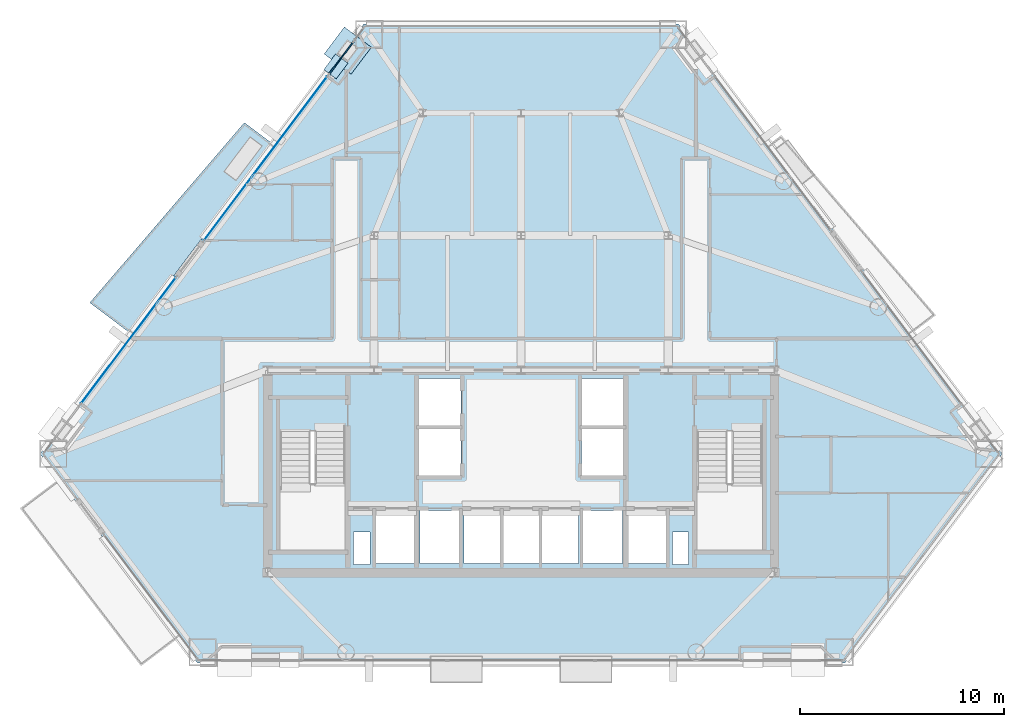
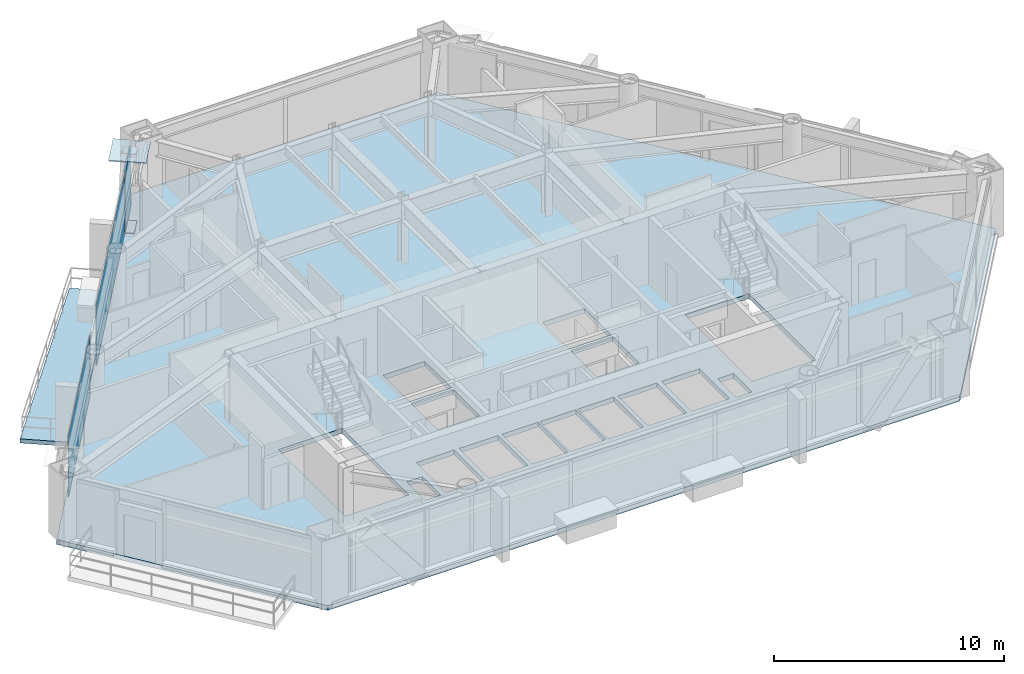
# One storey, part 7 of 14: 5 plates, 2 slabs, 3 elements without a shape of their own.
"""IFC4 building model written with IfcOpenShell, lengths in metres."""

import ifcopenshell
import ifcopenshell.guid

model = None  # the IFC model being written
_history = None  # IfcOwnerHistory: only IFC2X3 demands one
_inside = {}  # id of a spatial element -> (the spatial element, [elements in it])
_under = {}  # id of a project, library or spatial element -> (it, [spatial elements below it])
_declared = {}  # id of a project -> (the project, [libraries it declares])
_typed = {}  # id of a type object -> (the type object, [elements of that type])
_made_of = {}  # id of a material, layer set ... -> (it, [elements and type objects made of it])


def new_model(schema):
    """Start an empty IFC model of exactly this schema.

    Asked for "IFC4X3", IfcOpenShell would pick the latest addendum, in which some entities
    have other attributes; the version numbers below select the first issue.
    IFC2X3 requires an IfcOwnerHistory on every rooted entity: one is made here for all.
    """
    global model, _history
    if schema == "IFC4X3":
        model = ifcopenshell.file(schema_version=(4, 3, 0, 0))
    else:
        model = ifcopenshell.file(schema=schema)
    _inside.clear()
    _under.clear()
    _declared.clear()
    _typed.clear()
    _made_of.clear()
    _history = None
    if model.schema == "IFC2X3":
        org = make("IfcOrganization", Name="unknown")
        user = make(
            "IfcPersonAndOrganization",
            ThePerson=make("IfcPerson", FamilyName="unknown"),
            TheOrganization=org,
        )
        app = make(
            "IfcApplication",
            ApplicationDeveloper=org,
            Version="unknown",
            ApplicationFullName="unknown",
            ApplicationIdentifier="unknown",
        )
        _history = make(
            "IfcOwnerHistory",
            OwningUser=user,
            OwningApplication=app,
            ChangeAction="ADDED",
            CreationDate=0,
        )
    return model


def make(cls, **values):
    """One entity of the class cls with the attributes given. An attribute that is None is left unset."""
    return model.create_entity(
        cls, **{name: value for name, value in values.items() if value is not None}
    )


def rooted(cls, **values):
    """An entity with a GlobalId (a new one), such as an element, a storey or a relation."""
    return make(cls, GlobalId=ifcopenshell.guid.new(), OwnerHistory=_history, **values)


def si_unit(unit_type, name, prefix=None):
    """IfcSIUnit, for example si_unit("LENGTHUNIT", "METRE", prefix="MILLI")."""
    return make("IfcSIUnit", UnitType=unit_type, Prefix=prefix, Name=name)


def assignment(units):
    """IfcUnitAssignment: the units of a project."""
    return None if units is None else make("IfcUnitAssignment", Units=units)


def point(xyz):
    """IfcCartesianPoint."""
    return None if xyz is None else make("IfcCartesianPoint", Coordinates=xyz)


def direction(xyz):
    """IfcDirection."""
    return None if xyz is None else make("IfcDirection", DirectionRatios=xyz)


def frame(location, z_axis=None, x_axis=None):
    """IfcAxis2Placement3D, a coordinate frame: its origin and axes. An axis left out is left unset."""
    return make(
        "IfcAxis2Placement3D",
        Location=point(location),
        Axis=direction(z_axis),
        RefDirection=direction(x_axis),
    )


def frame_2d(location, x_axis=None):
    """IfcAxis2Placement2D, a coordinate frame in the plane: its origin and x axis."""
    return make(
        "IfcAxis2Placement2D", Location=point(location), RefDirection=direction(x_axis)
    )


def origin():
    """The frame at (0, 0, 0) with its axes left unset."""
    return frame((0.0, 0.0, 0.0))


def origin_2d():
    """The frame at (0, 0) in the plane with its x axis left unset."""
    return frame_2d((0.0, 0.0))


def place(relative_to, where):
    """IfcLocalPlacement: puts the frame where relative to a parent placement (None: the world)."""
    return make(
        "IfcLocalPlacement", PlacementRelTo=relative_to, RelativePlacement=where
    )


def context(
    kind, dimensions, precision=None, world=None, true_north=None, identifier=None
):
    """IfcGeometricRepresentationContext, for example the 3D "Model" context."""
    return make(
        "IfcGeometricRepresentationContext",
        ContextIdentifier=identifier,
        ContextType=kind,
        CoordinateSpaceDimension=dimensions,
        Precision=precision,
        WorldCoordinateSystem=world,
        TrueNorth=true_north,
    )


def subcontext(parent, identifier, kind, view, scale=None):
    """IfcGeometricRepresentationSubContext, for example "Body" below "Model"."""
    return make(
        "IfcGeometricRepresentationSubContext",
        ContextIdentifier=identifier,
        ContextType=kind,
        ParentContext=parent,
        TargetScale=scale,
        TargetView=view,
    )


def project(units=None, contexts=None):
    """IfcProject with its units and contexts."""
    return rooted(
        "IfcProject",
        Name="project",
        RepresentationContexts=contexts,
        UnitsInContext=assignment(units),
    )


def spatial(cls, under=None, at=None, **own):
    """A site, building, storey or space (cls), placed at a placement, below another one or the project."""
    s = rooted(cls, ObjectPlacement=at, **own)
    if under is not None:
        _under.setdefault(under.id(), (under, []))[1].append(s)
    return s


def polyline(points):
    """IfcPolyline through the points."""
    return make("IfcPolyline", Points=[point(p) for p in points])


def profile(cls, at=None, kind="AREA", **sizes):
    """A parametric profile (cls). Its sizes go by their IFC names, for example OverallWidth=200.0."""
    return make(cls, ProfileType=kind, Position=at, **sizes)


def rectangle(**sizes):
    """IfcRectangleProfileDef."""
    return profile("IfcRectangleProfileDef", **sizes)


def outline(outer, holes=None, kind="AREA"):
    """IfcArbitraryClosedProfileDef: a profile drawn as a closed curve; with holes, ...WithVoids."""
    if holes is None:
        return make("IfcArbitraryClosedProfileDef", ProfileType=kind, OuterCurve=outer)
    return make(
        "IfcArbitraryProfileDefWithVoids",
        ProfileType=kind,
        OuterCurve=outer,
        InnerCurves=holes,
    )


def extrude(swept, where, along, depth):
    """IfcExtrudedAreaSolid: the profile swept, set in the frame where, extruded along a direction by depth."""
    return make(
        "IfcExtrudedAreaSolid",
        SweptArea=swept,
        Position=where,
        ExtrudedDirection=direction(along),
        Depth=depth,
    )


def shape(context_of_items, identifier, shape_type, items):
    """IfcShapeRepresentation: the items that make up one representation, for example the "Body"."""
    return make(
        "IfcShapeRepresentation",
        ContextOfItems=context_of_items,
        RepresentationIdentifier=identifier,
        RepresentationType=shape_type,
        Items=items,
    )


def source(mapping_origin, context_of_items, identifier, shape_type, items):
    """IfcRepresentationMap: a shape defined once, which mapped items show again and again."""
    return make(
        "IfcRepresentationMap",
        MappingOrigin=mapping_origin,
        MappedRepresentation=shape(context_of_items, identifier, shape_type, items),
    )


def transform(
    local_origin,
    x_axis=None,
    y_axis=None,
    z_axis=None,
    scale=None,
    scale2=None,
    scale3=None,
    uniform=True,
):
    """IfcCartesianTransformationOperator3D, or its non-uniform kind. x_axis, y_axis, z_axis: its Axis1, 2, 3."""
    if uniform:
        return make(
            "IfcCartesianTransformationOperator3D",
            Axis1=direction(x_axis),
            Axis2=direction(y_axis),
            LocalOrigin=point(local_origin),
            Scale=scale,
            Axis3=direction(z_axis),
        )
    return make(
        "IfcCartesianTransformationOperator3DnonUniform",
        Axis1=direction(x_axis),
        Axis2=direction(y_axis),
        LocalOrigin=point(local_origin),
        Scale=scale,
        Axis3=direction(z_axis),
        Scale2=scale2,
        Scale3=scale3,
    )


def mapped(mapping_source, mapping_target):
    """IfcMappedItem: shows the shape of a source again, moved by a transform."""
    return make(
        "IfcMappedItem", MappingSource=mapping_source, MappingTarget=mapping_target
    )


def material(Name=None, Category=None):
    """IfcMaterial."""
    return make("IfcMaterial", Name=Name, Category=Category)


def layer(
    of_material, thickness, ventilated=None, Name=None, Category=None, Priority=None
):
    """IfcMaterialLayer: one layer of a wall or slab, of a material (None: an air gap)."""
    return make(
        "IfcMaterialLayer",
        Material=of_material,
        LayerThickness=thickness,
        IsVentilated=ventilated,
        Name=Name,
        Category=Category,
        Priority=Priority,
    )


def layer_set(layers, Name=None):
    """IfcMaterialLayerSet."""
    return make("IfcMaterialLayerSet", MaterialLayers=layers, LayerSetName=Name)


def made_of(thing, what):
    """Note that an element or type object is made of a material, layer set ...; save() writes the relation."""
    if what is not None:
        _made_of.setdefault(what.id(), (what, []))[1].append(thing)
    return thing


def type_object(cls, material=None, **own):
    """A type object (cls), such as IfcWallType, which elements share."""
    return made_of(rooted(cls, **own), material)


def type_shapes(of_type, sources):
    """Give a type object the sources (RepresentationMaps) that its elements show as mapped items."""
    of_type.RepresentationMaps = sources


def element(
    cls,
    number,
    at=None,
    inside=None,
    cuts=None,
    type_object=None,
    material=None,
    context=None,
    identifier="Body",
    shape_type=None,
    held_by="IfcProductDefinitionShape",
    body=None,
    shapes=None,
    **own,
):
    """One element of the class cls, such as IfcWall. Its Tag is "e" and its number.

    at: its placement. inside: the storey or other place that contains it. cuts: it is an
    opening in that element (IfcRelVoidsElement). A single representation is given by context,
    identifier, shape_type and body (its items); several are given by shapes. held_by: the class
    of the entity that holds the representations. save() writes the other relations.
    """
    e = rooted(cls, Tag="e%d" % number, ObjectPlacement=at, **own)
    if body is not None:
        shapes = [shape(context, identifier, shape_type, body)]
    if shapes is not None:
        e.Representation = make(held_by, Representations=shapes)
    if inside is not None:
        _inside.setdefault(inside.id(), (inside, []))[1].append(e)
    if cuts is not None:
        rooted(
            "IfcRelVoidsElement", RelatingBuildingElement=cuts, RelatedOpeningElement=e
        )
    if type_object is not None:
        _typed.setdefault(type_object.id(), (type_object, []))[1].append(e)
    return made_of(e, material)


def aggregate(whole, parts):
    """IfcRelAggregates: a whole, such as a stair, and the parts it consists of."""
    return rooted("IfcRelAggregates", RelatingObject=whole, RelatedObjects=parts)


def save(model, path):
    """Write the relations noted so far, then the file.

    IfcRelAggregates (storeys below a building ...), IfcRelContainedInSpatialStructure (elements
    in a storey), IfcRelDefinesByType, IfcRelAssociatesMaterial and IfcRelDeclares: one each for
    every whole, place, type object, material and project.
    """
    for whole, parts in _under.values():
        aggregate(whole, parts)
    for where, things in _inside.values():
        rooted(
            "IfcRelContainedInSpatialStructure",
            RelatedElements=things,
            RelatingStructure=where,
        )
    for kind, things in _typed.values():
        rooted("IfcRelDefinesByType", RelatedObjects=things, RelatingType=kind)
    for what, things in _made_of.values():
        rooted("IfcRelAssociatesMaterial", RelatedObjects=things, RelatingMaterial=what)
    for by, libraries in _declared.values():
        rooted("IfcRelDeclares", RelatingContext=by, RelatedDefinitions=libraries)
    model.write(path)


model = new_model("IFC4")

# Units and contexts
model_context = context("Model", 3, precision=1e-05, world=origin(), true_north=direction((0.0, 1.0)))
body_context = subcontext(model_context, "Body", "Model", "MODEL_VIEW")
ifc_project = project(units=[si_unit("LENGTHUNIT", "METRE"), si_unit("AREAUNIT", "SQUARE_METRE"), si_unit("VOLUMEUNIT", "CUBIC_METRE"), si_unit("PLANEANGLEUNIT", "RADIAN"), si_unit("MASSUNIT", "GRAM", prefix="KILO")], contexts=[model_context])

# Site, building, storey
site_placement = place(None, origin())
site = spatial("IfcSite", under=ifc_project, at=site_placement, CompositionType="ELEMENT")
building_placement = place(site_placement, origin())
building = spatial("IfcBuilding", under=site, at=building_placement, Name="Talgorran Terracotta Tower", CompositionType="ELEMENT")
storey_placement = place(building_placement, frame((0.0, 0.0, 53.10009765625)))
storey = spatial("IfcBuildingStorey", under=building, at=storey_placement, Name="L13", CompositionType="ELEMENT", Elevation=53.10009765625)

# Plates
ifc_material_1 = material(Name="Steel Grade 350 (350L0)", Category="steel")
ifc_layer_1 = layer(ifc_material_1, 0.0400390625, Name="PL_CAP_MN05")
ifc_layer_set_1 = layer_set([ifc_layer_1], Name="Steel Grade 350 (350L0)")
plate_type_1 = type_object("IfcPlateType", Name="PL_CAP_MN05", PredefinedType="USERDEFINED", material=ifc_layer_set_1)
plate_1_placement = place(storey_placement, frame((-9.0634765625, 10.67236328125, -0.010009765625), z_axis=(0.0, 0.0, 1.0), x_axis=(0.6013967761, 0.798950510167, 0.0)))
element("IfcPlate", 1, at=plate_1_placement, inside=storey, type_object=plate_type_1, Name="L13 Diagonal Frame End Cap NWU Bot", ObjectType="CAP PLATE", PredefinedType="USERDEFINED", context=body_context, shape_type="SweptSolid", body=[
    extrude(rectangle(XDim=0.9599609375, YDim=0.760009765625, at=origin_2d()), origin(), (0.0, 0.0, 1.0), 0.0400390625),
])
ifc_layer_2 = layer(ifc_material_1, 0.06005859375, Name="PL_NODE_MN01")
ifc_layer_set_2 = layer_set([ifc_layer_2], Name="Steel Grade 350 (350L0)")
plate_type_2 = type_object("IfcPlateType", Name="PL_NODE_MN01", PredefinedType="USERDEFINED", material=ifc_layer_set_2)
plate_2_placement = place(storey_placement, frame((-8.481689453125, 11.44482421875, 3.309814453125), z_axis=(0.0, 0.0, 1.0), x_axis=(0.6013967761, 0.798950510167, 0.0)))
element("IfcPlate", 2, at=plate_2_placement, inside=storey, type_object=plate_type_2, Name="L13 Diagonal Frame End Cap NWU Top", ObjectType="NODE PLATE", PredefinedType="USERDEFINED", context=body_context, shape_type="SweptSolid", body=[
    extrude(rectangle(XDim=1.64990234375, YDim=1.64990234375, at=origin_2d()), origin(), (0.0, 0.0, 1.0), 0.06005859375),
])

# Slabs
ifc_material_2 = material(Name="Concrete C40/50", Category="concrete")
ifc_layer_3 = layer(ifc_material_2, 0.219970703125, Name="SL_BALCONY_220")
ifc_layer_set_3 = layer_set([ifc_layer_3], Name="Concrete C40/50")
slab_type_1 = type_object("IfcSlabType", Name="SL_BALCONY_220", PredefinedType="FLOOR", material=ifc_layer_set_3)
slab_1_placement = place(storey_placement, frame((0.0, 0.0, -0.22021484375)))
element("IfcSlab", 3, at=slab_1_placement, inside=storey, type_object=slab_type_1, Name="L13 Outdoor Wave Balcony BAL-NW", PredefinedType="FLOOR", context=body_context, shape_type="SweptSolid", body=[
    extrude(outline(polyline([(-19.11328125, -2.386474609375), (-12.14404296875, 6.87109375), (-13.538818359375, 7.921142578125), (-21.099609375, -0.89111328125), (-19.11328125, -2.386474609375)])), origin(), (0.0, 0.0, 1.0), 0.22021484375),
])
ifc_layer_4 = layer(ifc_material_2, 0.264892578125, Name="SL_TOWER_265")
ifc_layer_set_4 = layer_set([ifc_layer_4], Name="Concrete C40/50")
slab_type_2 = type_object("IfcSlabType", Name="SL_TOWER_265", PredefinedType="FLOOR", material=ifc_layer_set_4)
slab_2_placement = place(storey_placement, frame((0.0, 0.0, -0.25)))
element("IfcSlab", 4, at=slab_2_placement, inside=storey, type_object=slab_type_2, Name="Storey L13 Structural Floor Slab", PredefinedType="FLOOR", context=body_context, shape_type="SweptSolid", body=[
    extrude(outline(polyline([(-23.5361328125, -8.28662109375), (-15.839111328125, -18.510986328125), (15.839111328125, -18.510986328125), (23.5361328125, -8.28662109375), (7.697021484375, 12.75341796875), (-7.697021484375, 12.75341796875), (-23.5361328125, -8.28662109375)]), holes=[polyline([(-11.800048828125, -7.199951171875), (-11.800048828125, -13.0), (-8.60009765625, -13.0), (-8.60009765625, -7.199951171875), (-11.800048828125, -7.199951171875)]), polyline([(8.60009765625, -7.199951171875), (8.60009765625, -13.0), (11.800048828125, -13.0), (11.800048828125, -7.199951171875), (8.60009765625, -7.199951171875)]), polyline([(-7.10009765625, -13.64990234375), (-5.199951171875, -13.64990234375), (-5.199951171875, -11.050048828125), (-7.10009765625, -11.050048828125), (-7.10009765625, -13.64990234375)]), polyline([(5.199951171875, -13.64990234375), (7.10009765625, -13.64990234375), (7.10009765625, -11.050048828125), (5.199951171875, -11.050048828125), (5.199951171875, -13.64990234375)]), polyline([(3.0, -13.64990234375), (4.949951171875, -13.64990234375), (4.949951171875, -11.050048828125), (3.0, -11.050048828125), (3.0, -13.64990234375)]), polyline([(-4.949951171875, -13.64990234375), (-3.0, -13.64990234375), (-3.0, -11.050048828125), (-4.949951171875, -11.050048828125), (-4.949951171875, -13.64990234375)]), polyline([(-5.050048828125, -9.35009765625), (-2.949951171875, -9.35009765625), (-2.949951171875, -7.050048828125), (-5.050048828125, -7.050048828125), (-5.050048828125, -9.35009765625)]), polyline([(-5.050048828125, -6.89990234375), (-2.949951171875, -6.89990234375), (-2.949951171875, -4.60009765625), (-5.050048828125, -4.60009765625), (-5.050048828125, -6.89990234375)]), polyline([(2.949951171875, -9.35009765625), (5.050048828125, -9.35009765625), (5.050048828125, -7.050048828125), (2.949951171875, -7.050048828125), (2.949951171875, -9.35009765625)]), polyline([(2.949951171875, -6.89990234375), (5.050048828125, -6.89990234375), (5.050048828125, -4.60009765625), (2.949951171875, -4.60009765625), (2.949951171875, -6.89990234375)]), polyline([(-2.800048828125, -13.64990234375), (-1.0, -13.64990234375), (-1.0, -11.050048828125), (-2.800048828125, -11.050048828125), (-2.800048828125, -13.64990234375)]), polyline([(-0.89990234375, -13.64990234375), (0.89990234375, -13.64990234375), (0.89990234375, -11.050048828125), (-0.89990234375, -11.050048828125), (-0.89990234375, -13.64990234375)]), polyline([(1.0, -13.64990234375), (2.800048828125, -13.64990234375), (2.800048828125, -11.050048828125), (1.0, -11.050048828125), (1.0, -13.64990234375)]), polyline([(-8.199951171875, -13.699951171875), (-7.39990234375, -13.699951171875), (-7.39990234375, -12.10009765625), (-8.199951171875, -12.10009765625), (-8.199951171875, -13.699951171875)]), polyline([(7.39990234375, -13.699951171875), (8.199951171875, -13.699951171875), (8.199951171875, -12.10009765625), (7.39990234375, -12.10009765625), (7.39990234375, -13.699951171875)])]), origin(), (0.0, 0.0, 1.0), 0.25),
])

# Curtain wall, plate
ifc_material_3 = material(Name="Unitised Low-E Double Glazing", Category="glass")
ifc_layer_5 = layer(ifc_material_3, 0.199951171875, Name="CW_SYS2_RES_LOW")
ifc_layer_set_5 = layer_set([ifc_layer_5], Name="Unitised Low-E Double Glazing")
curtain_wall_type = type_object("IfcCurtainWallType", Name="CW_SYS2_RES_LOW", PredefinedType="NOTDEFINED", material=ifc_layer_set_5)
curtain_wall_1_placement = place(storey_placement, origin())
curtain_wall_1 = element("IfcCurtainWall", 5, at=curtain_wall_1_placement, inside=storey, type_object=curtain_wall_type, Name="CW-L13-F60B", PredefinedType="NOTDEFINED")
ifc_material_4 = material(Name="Terracotta Insulated Spandrel", Category="masonry")
ifc_layer_6 = layer(ifc_material_4, 0.06494140625, Name="PLT_SPANDREL_TERRA")
ifc_layer_set_6 = layer_set([ifc_layer_6], Name="Terracotta Insulated Spandrel")
plate_type_3 = type_object("IfcPlateType", Name="PLT_SPANDREL_TERRA", PredefinedType="SHEET", material=ifc_layer_set_6)
shared_shape_1 = source(origin(), body_context, "Body", "SweptSolid", [
    extrude(rectangle(XDim=1.99267578125, YDim=0.06494140625, at=origin_2d()), origin(), (0.0, 0.0, 1.0), 3.219970703125),
])
type_shapes(plate_type_3, [shared_shape_1])
plate_3_placement = place(storey_placement, frame((-8.804443359375, 11.082763671875, 0.06494140625), z_axis=(0.0, 0.0, 1.0), x_axis=(-0.601438674906, -0.798918969813, 0.0)))
plate_3 = element("IfcPlate", 6, at=plate_3_placement, type_object=plate_type_3, Name="CW-L13-60B panel 1.1", PredefinedType="CURTAIN_PANEL", context=body_context, shape_type="MappedRepresentation", body=[
    mapped(shared_shape_1, transform((0.0, 0.0, 0.0), scale=1.0)),
])
aggregate(curtain_wall_1, [plate_3])

curtain_wall_2_placement = place(storey_placement, origin())
curtain_wall_2 = element("IfcCurtainWall", 7, at=curtain_wall_2_placement, inside=storey, type_object=curtain_wall_type, Name="CW-L13-F60C", PredefinedType="NOTDEFINED")
ifc_material_5 = material(Name="Low-E Laminated Vision Glass", Category="glass")
ifc_layer_7 = layer(ifc_material_5, 0.028076171875, Name="PLT_VISION_28")
ifc_layer_set_7 = layer_set([ifc_layer_7], Name="Low-E Laminated Vision Glass")
plate_type_4 = type_object("IfcPlateType", Name="PLT_VISION_28", PredefinedType="CURTAIN_PANEL", material=ifc_layer_set_7)
shared_shape_2 = source(origin(), body_context, "Body", "SweptSolid", [
    extrude(rectangle(XDim=10.01904296875, YDim=0.028076171875, at=origin_2d()), origin(), (0.0, 0.0, 1.0), 3.219970703125),
])
plate_4_placement = place(storey_placement, frame((-12.5009765625, 6.172607421875, 0.06494140625), z_axis=(0.0, 0.0, 1.0), x_axis=(-0.601441514732, -0.79891683194, 0.0)))
plate_4 = element("IfcPlate", 8, at=plate_4_placement, type_object=plate_type_4, Name="CW-L13-60C panel 1.1", PredefinedType="CURTAIN_PANEL", context=body_context, shape_type="MappedRepresentation", body=[
    mapped(shared_shape_2, transform((0.0, 0.0, 0.0), scale=1.0)),
])
aggregate(curtain_wall_2, [plate_4])

curtain_wall_3_placement = place(storey_placement, origin())
curtain_wall_3 = element("IfcCurtainWall", 9, at=curtain_wall_3_placement, inside=storey, type_object=curtain_wall_type, Name="CW-L13-F61", PredefinedType="NOTDEFINED")
shared_shape_3 = source(origin(), body_context, "Body", "SweptSolid", [
    extrude(rectangle(XDim=7.71142578125, YDim=0.028076171875, at=origin_2d()), origin(), (0.0, 0.0, 1.0), 3.219970703125),
])
type_shapes(plate_type_4, [shared_shape_2, shared_shape_3])
plate_5_placement = place(storey_placement, frame((-19.210205078125, -2.739501953125, 0.06494140625), z_axis=(0.0, 0.0, 1.0), x_axis=(-0.601439594999, -0.798918277152, 0.0)))
plate_5 = element("IfcPlate", 10, at=plate_5_placement, type_object=plate_type_4, Name="CW-L13-61 panel 1.1", PredefinedType="CURTAIN_PANEL", context=body_context, shape_type="MappedRepresentation", body=[
    mapped(shared_shape_3, transform((0.0, 0.0, 0.0), scale=1.0)),
])
aggregate(curtain_wall_3, [plate_5])

save(model, "model.ifc")
